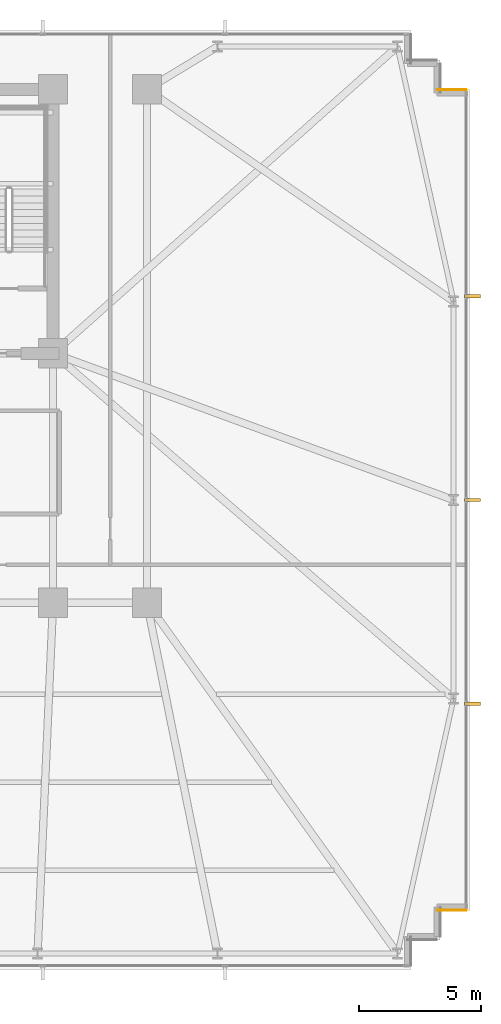
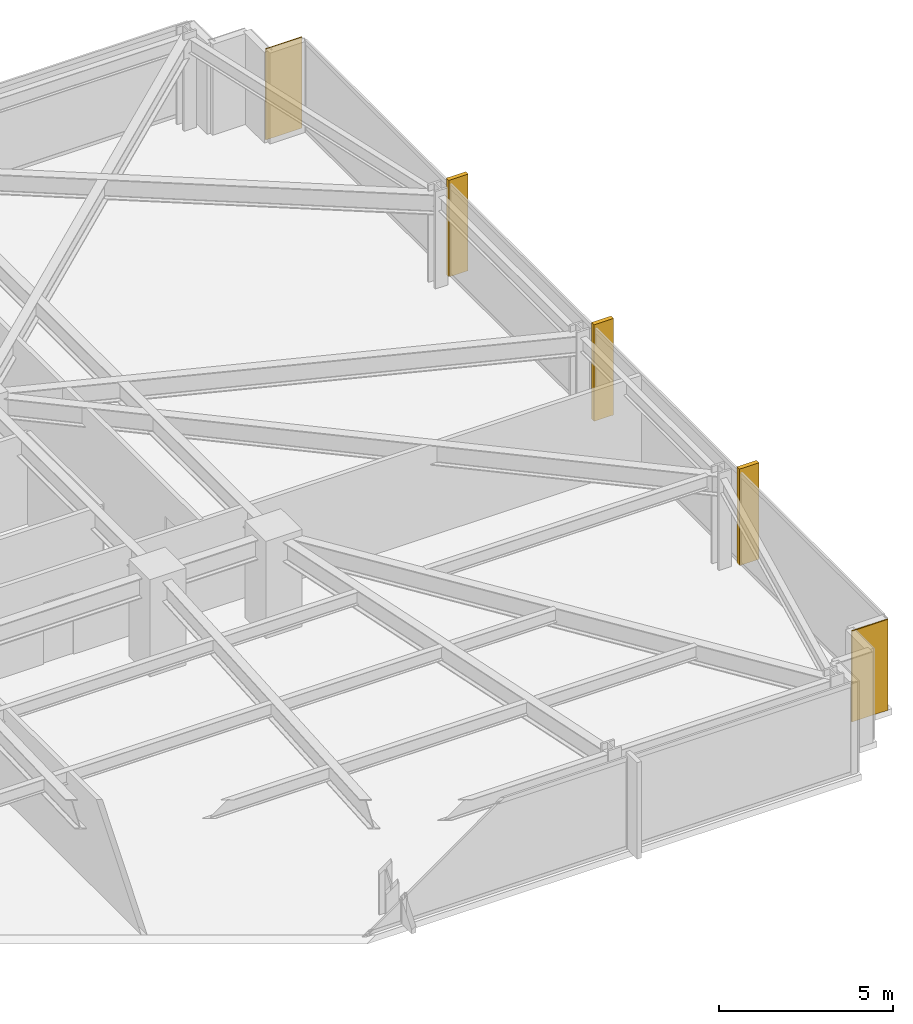
# One storey, part 33 of 33: 3 shading devices, 2 coverings.
"""IFC4 building model written with IfcOpenShell, lengths in metres."""

from ifc_helpers import new_model, si_unit, direction, frame, frame_2d, origin, origin_2d, place, context, subcontext, project, spatial, rectangle, extrude, material, layer, layer_set, type_object, element, save


model = new_model("IFC4")

# Units and contexts
model_context = context("Model", 3, precision=1e-05, world=origin(), true_north=direction((0.0, 1.0)))
body_context = subcontext(model_context, "Body", "Model", "MODEL_VIEW")
ifc_project = project(units=[si_unit("LENGTHUNIT", "METRE"), si_unit("AREAUNIT", "SQUARE_METRE"), si_unit("VOLUMEUNIT", "CUBIC_METRE"), si_unit("PLANEANGLEUNIT", "RADIAN"), si_unit("MASSUNIT", "GRAM", prefix="KILO")], contexts=[model_context])

# Site, building, storey
site_placement = place(None, origin())
site = spatial("IfcSite", under=ifc_project, at=site_placement, CompositionType="ELEMENT")
building_placement = place(site_placement, origin())
building = spatial("IfcBuilding", under=site, at=building_placement, Name="Yelkora Congress Tower", CompositionType="ELEMENT")
storey_placement = place(building_placement, frame((0.0, 0.0, 54.199951171875)))
storey = spatial("IfcBuildingStorey", under=building, at=storey_placement, Name="L13", CompositionType="ELEMENT", Elevation=54.199951171875)

# Coverings
ifc_material_1 = material(Name="Anatolian bush-hammered limestone", Category="masonry")
ifc_layer_1 = layer(ifc_material_1, 0.0400390625)
ifc_layer_set_1 = layer_set([ifc_layer_1], Name="Anatolian bush-hammered limestone")
covering_type = type_object("IfcCoveringType", Name="COV-CLAD-SPANDREL-40", PredefinedType="CLADDING", material=ifc_layer_set_1)
for number, where, z_axis, x_axis, name in (
    (1, (69.4599609375, 46.195068359375, 0.0), (0.0, 0.0, 1.0), (1.0, 0.0, 0.0), "L13 Anatolian Limestone Cladding EW-L13-SR14"),
    (2, (70.659912109375, 12.60498046875, 0.0), (0.0, 0.0, 1.0), (-1.0, 0.0, 0.0), "L13 Anatolian Limestone Cladding EW-L13-SR16"),
):
    element("IfcCovering", number, at=place(storey_placement, frame(where, z_axis=z_axis, x_axis=x_axis)), inside=storey, type_object=covering_type, Name=name, PredefinedType="CLADDING", context=body_context, shape_type="SweptSolid", body=[
        extrude(rectangle(XDim=1.199951171875, YDim=0.0400390625, at=frame_2d((0.60009765625, 0.0))), origin(), (0.0, 0.0, 1.0), 3.179931640625),
    ])

# Shading devices
ifc_material_2 = material(Name="Champagne anodised aluminium", Category="aluminium")
ifc_layer_2 = layer(ifc_material_2, 3.39990234375)
ifc_layer_set_2 = layer_set([ifc_layer_2], Name="Champagne anodised aluminium")
shading_device_type = type_object("IfcShadingDeviceType", Name="SHD-FIN-ALU-640", PredefinedType="USERDEFINED", material=ifc_layer_set_2)
for number, where, z_axis, x_axis, name in (
    (3, (70.919921875, 37.72998046875, -0.02978515625), (0.0, 0.0, 1.0), (0.0, -1.0, 0.0), "L13 Vertical Anodised Solar Fin 15-1"),
    (4, (70.919921875, 29.39990234375, -0.02978515625), (0.0, 0.0, 1.0), (0.0, -1.0, 0.0), "L13 Vertical Anodised Solar Fin 15-2"),
    (5, (70.919921875, 21.070068359375, -0.02978515625), (0.0, 0.0, 1.0), (0.0, -1.0, 0.0), "L13 Vertical Anodised Solar Fin 15-3"),
):
    element("IfcShadingDevice", number, at=place(storey_placement, frame(where, z_axis=z_axis, x_axis=x_axis)), inside=storey, type_object=shading_device_type, Name=name, ObjectType="FIN", PredefinedType="USERDEFINED", context=body_context, shape_type="SweptSolid", body=[
        extrude(rectangle(XDim=0.139892578125, YDim=0.639892578125, at=origin_2d()), origin(), (0.0, 0.0, 1.0), 3.3798828125),
    ])

save(model, "model.ifc")
